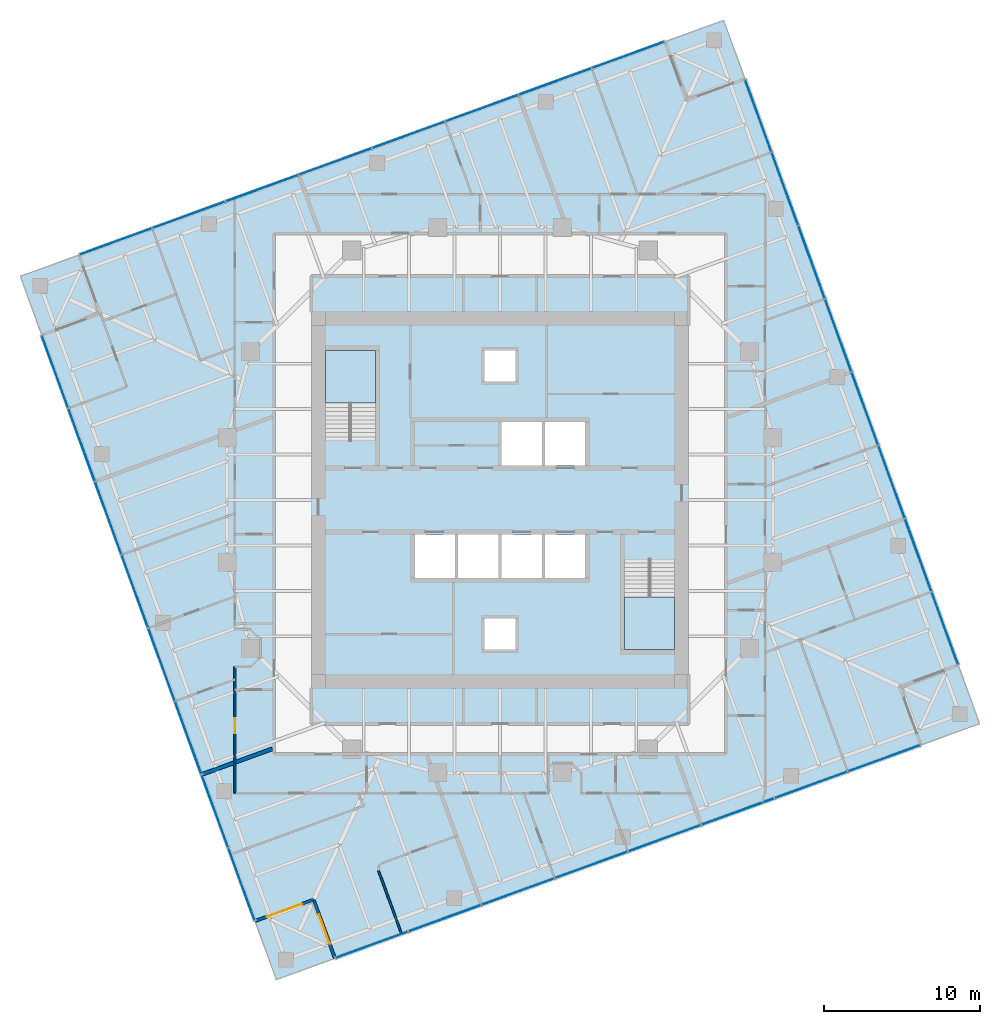
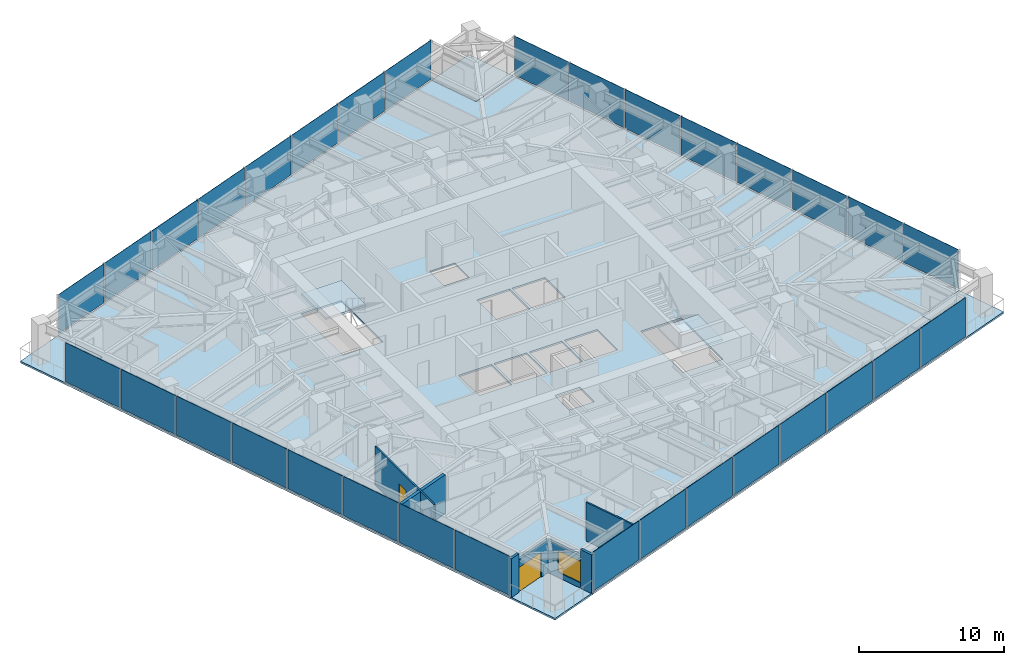
# One storey, part 6 of 13: 32 plates, 7 slabs, 7 walls, 2 doors, 1 window, 3 openings, 6 elements without a shape of their own.
"""IFC4 building model written with IfcOpenShell, lengths in metres."""

from ifc_helpers import new_model, si_unit, direction, frame, frame_2d, origin, origin_2d, place, context, subcontext, project, spatial, polyline, rectangle, outline, extrude, material, layer, layer_set, type_object, element, fill, aggregate, save


model = new_model("IFC4")

# Units and contexts
model_context = context("Model", 3, precision=1e-05, world=origin(), true_north=direction((0.0, 1.0)))
body_context = subcontext(model_context, "Body", "Model", "MODEL_VIEW")
ifc_project = project(units=[si_unit("LENGTHUNIT", "METRE"), si_unit("AREAUNIT", "SQUARE_METRE"), si_unit("VOLUMEUNIT", "CUBIC_METRE"), si_unit("PLANEANGLEUNIT", "RADIAN"), si_unit("MASSUNIT", "GRAM", prefix="KILO")], contexts=[model_context])

# Site, building, storey
site_placement = place(None, origin())
site = spatial("IfcSite", under=ifc_project, at=site_placement, CompositionType="ELEMENT")
building_placement = place(site_placement, origin())
building = spatial("IfcBuilding", under=site, at=building_placement, Name="Torsade Residences", CompositionType="ELEMENT")
storey_placement = place(building_placement, frame((0.0, 0.0, 157.39990234375)))
storey = spatial("IfcBuildingStorey", under=building, at=storey_placement, Name="L43", CompositionType="ELEMENT", Elevation=157.39990234375)

# Slab
ifc_material_1 = material(Name="Concrete 40 MPa", Category="concrete")
ifc_layer_1 = layer(ifc_material_1, 0.14990234375)
ifc_layer_set_1 = layer_set([ifc_layer_1], Name="Concrete 40 MPa")
slab_type_1 = type_object("IfcSlabType", Name="COMPOSITE FLOOR SLAB 150", PredefinedType="FLOOR", material=ifc_layer_set_1)
slab_1_placement = place(storey_placement, frame((0.0, 0.0, -0.14990234375)))
element("IfcSlab", 1, at=slab_1_placement, inside=storey, type_object=slab_type_1, Name="Floor slab L43", PredefinedType="FLOOR", context=body_context, shape_type="SweptSolid", body=[
    extrude(outline(polyline([(29.41455078125, 0.60693359375), (67.00244140625, 14.287841796875), (65.63427734375, 18.046630859375), (69.39306640625, 19.41455078125), (55.712158203125, 57.00244140625), (51.953369140625, 55.63427734375), (50.58544921875, 59.39306640625), (12.99755859375, 45.712158203125), (14.36572265625, 41.953369140625), (10.60693359375, 40.58544921875), (24.287841796875, 2.99755859375), (28.046630859375, 4.36572265625), (29.41455078125, 0.60693359375)]), holes=[polyline([(51.199951171875, 26.1201171875), (48.0, 26.1201171875), (48.0, 20.39990234375), (51.199951171875, 20.39990234375), (51.199951171875, 26.1201171875)]), polyline([(45.5, 27.800048828125), (42.89990234375, 27.800048828125), (42.89990234375, 25.0), (45.5, 25.0), (45.5, 27.800048828125)]), polyline([(45.5, 35.0), (42.89990234375, 35.0), (42.89990234375, 32.199951171875), (45.5, 32.199951171875), (45.5, 35.0)]), polyline([(42.699951171875, 25.0), (42.699951171875, 27.800048828125), (40.10009765625, 27.800048828125), (40.10009765625, 25.0), (42.699951171875, 25.0)]), polyline([(42.699951171875, 35.0), (40.10009765625, 35.0), (40.10009765625, 32.199951171875), (42.699951171875, 32.199951171875), (42.699951171875, 35.0)]), polyline([(41.0, 22.39990234375), (39.0, 22.39990234375), (39.0, 20.39990234375), (41.0, 20.39990234375), (41.0, 22.39990234375)]), polyline([(41.0, 37.60009765625), (41.0, 39.60009765625), (39.0, 39.60009765625), (39.0, 37.60009765625), (41.0, 37.60009765625)]), polyline([(39.89990234375, 25.0), (39.89990234375, 27.800048828125), (37.300048828125, 27.800048828125), (37.300048828125, 25.0), (39.89990234375, 25.0)]), polyline([(37.10009765625, 27.800048828125), (34.5, 27.800048828125), (34.5, 25.0), (37.10009765625, 25.0), (37.10009765625, 27.800048828125)]), polyline([(32.0, 33.8798828125), (32.0, 39.60009765625), (28.800048828125, 39.60009765625), (28.800048828125, 33.8798828125), (32.0, 33.8798828125)])]), origin(), (0.0, 0.0, 1.0), 0.14990234375),
])

# Curtain wall, plates
ifc_material_2 = material(Name="Aluminium and glass", Category="aluminium")
curtain_wall_type = type_object("IfcCurtainWallType", Name="FRITTED GLASS CURTAIN WALL MID ZONE", PredefinedType="NOTDEFINED", material=ifc_material_2)
curtain_wall_1_placement = place(storey_placement, origin())
curtain_wall_1 = element("IfcCurtainWall", 2, at=curtain_wall_1_placement, inside=storey, type_object=curtain_wall_type, Name="Curtain wall L43 face 1", PredefinedType="NOTDEFINED")
ifc_material_3 = material(Name="Laminated glass", Category="glass")
ifc_layer_2 = layer(ifc_material_3, 0.031982421875)
ifc_layer_set_2 = layer_set([ifc_layer_2], Name="Laminated glass")
plate_type_1 = type_object("IfcPlateType", Name="FRITTED GLASS PANEL", PredefinedType="CURTAIN_PANEL", material=ifc_layer_set_2)
plate_1_placement = place(storey_placement, frame((31.78271484375, 1.46875, 0.110107421875), z_axis=(0.0, 0.0, 1.0), x_axis=(0.939692619132, 0.342020147869, 0.0)))
plate_1 = element("IfcPlate", 3, at=plate_1_placement, type_object=plate_type_1, Name="Panel 1", PredefinedType="CURTAIN_PANEL", context=body_context, shape_type="SweptSolid", body=[
    extrude(rectangle(XDim=4.8798828125, YDim=0.031982421875, at=origin_2d()), origin(), (0.0, 0.0, 1.0), 3.2900390625),
])
plate_2_placement = place(storey_placement, frame((41.160888671875, 4.88232421875, 0.110107421875), z_axis=(0.0, 0.0, 1.0), x_axis=(0.939692619132, 0.342020147869, 0.0)))
plate_2 = element("IfcPlate", 4, at=plate_2_placement, type_object=plate_type_1, Name="Panel 3", PredefinedType="CURTAIN_PANEL", context=body_context, shape_type="SweptSolid", body=[
    extrude(rectangle(XDim=4.919921875, YDim=0.031982421875, at=origin_2d()), origin(), (0.0, 0.0, 1.0), 3.2900390625),
])
plate_3_placement = place(storey_placement, frame((45.859130859375, 6.59228515625, 0.110107421875), z_axis=(0.0, 0.0, 1.0), x_axis=(0.939692619132, 0.342020147869, 0.0)))
plate_3 = element("IfcPlate", 5, at=plate_3_placement, type_object=plate_type_1, Name="Panel 4", PredefinedType="CURTAIN_PANEL", context=body_context, shape_type="SweptSolid", body=[
    extrude(rectangle(XDim=4.919921875, YDim=0.031982421875, at=origin_2d()), origin(), (0.0, 0.0, 1.0), 3.2900390625),
])
plate_4_placement = place(storey_placement, frame((50.5576171875, 8.302490234375, 0.110107421875), z_axis=(0.0, 0.0, 1.0), x_axis=(0.939692619132, 0.342020147869, 0.0)))
plate_4 = element("IfcPlate", 6, at=plate_4_placement, type_object=plate_type_1, Name="Panel 5", PredefinedType="CURTAIN_PANEL", context=body_context, shape_type="SweptSolid", body=[
    extrude(rectangle(XDim=4.919921875, YDim=0.031982421875, at=origin_2d()), origin(), (0.0, 0.0, 1.0), 3.2900390625),
])
plate_5_placement = place(storey_placement, frame((59.95458984375, 11.72265625, 0.110107421875), z_axis=(0.0, 0.0, 1.0), x_axis=(0.939692619132, 0.342020147869, 0.0)))
plate_5 = element("IfcPlate", 7, at=plate_5_placement, type_object=plate_type_1, Name="Panel 7", PredefinedType="CURTAIN_PANEL", context=body_context, shape_type="SweptSolid", body=[
    extrude(rectangle(XDim=4.919921875, YDim=0.031982421875, at=origin_2d()), origin(), (0.0, 0.0, 1.0), 3.2900390625),
])
plate_6_placement = place(storey_placement, frame((64.63427734375, 13.42578125, 0.110107421875), z_axis=(0.0, 0.0, 1.0), x_axis=(0.939692619132, 0.342020147869, 0.0)))
plate_6 = element("IfcPlate", 8, at=plate_6_placement, type_object=plate_type_1, Name="Panel 8", PredefinedType="CURTAIN_PANEL", context=body_context, shape_type="SweptSolid", body=[
    extrude(rectangle(XDim=4.8798828125, YDim=0.031982421875, at=origin_2d()), origin(), (0.0, 0.0, 1.0), 3.2900390625),
])

curtain_wall_2_placement = place(storey_placement, origin())
curtain_wall_2 = element("IfcCurtainWall", 9, at=curtain_wall_2_placement, inside=storey, type_object=curtain_wall_type, Name="Curtain wall L43 face 4", PredefinedType="NOTDEFINED")
plate_7_placement = place(storey_placement, frame((68.53125, 21.78271484375, 0.110107421875), z_axis=(0.0, 0.0, 1.0), x_axis=(-0.342020147869, 0.939692619132, 0.0)))
plate_7 = element("IfcPlate", 10, at=plate_7_placement, type_object=plate_type_1, Name="Panel 1", PredefinedType="CURTAIN_PANEL", context=body_context, shape_type="SweptSolid", body=[
    extrude(rectangle(XDim=4.8798828125, YDim=0.031982421875, at=origin_2d()), origin(), (0.0, 0.0, 1.0), 3.2900390625),
])
plate_8_placement = place(storey_placement, frame((65.11767578125, 31.160888671875, 0.110107421875), z_axis=(0.0, 0.0, 1.0), x_axis=(-0.342020147869, 0.939692619132, 0.0)))
plate_8 = element("IfcPlate", 11, at=plate_8_placement, type_object=plate_type_1, Name="Panel 3", PredefinedType="CURTAIN_PANEL", context=body_context, shape_type="SweptSolid", body=[
    extrude(rectangle(XDim=4.919921875, YDim=0.031982421875, at=origin_2d()), origin(), (0.0, 0.0, 1.0), 3.2900390625),
])
plate_9_placement = place(storey_placement, frame((63.40771484375, 35.859130859375, 0.110107421875), z_axis=(0.0, 0.0, 1.0), x_axis=(-0.342020147869, 0.939692619132, 0.0)))
plate_9 = element("IfcPlate", 12, at=plate_9_placement, type_object=plate_type_1, Name="Panel 4", PredefinedType="CURTAIN_PANEL", context=body_context, shape_type="SweptSolid", body=[
    extrude(rectangle(XDim=4.919921875, YDim=0.031982421875, at=origin_2d()), origin(), (0.0, 0.0, 1.0), 3.2900390625),
])
plate_10_placement = place(storey_placement, frame((61.697509765625, 40.5576171875, 0.110107421875), z_axis=(0.0, 0.0, 1.0), x_axis=(-0.342020147869, 0.939692619132, 0.0)))
plate_10 = element("IfcPlate", 13, at=plate_10_placement, type_object=plate_type_1, Name="Panel 5", PredefinedType="CURTAIN_PANEL", context=body_context, shape_type="SweptSolid", body=[
    extrude(rectangle(XDim=4.919921875, YDim=0.031982421875, at=origin_2d()), origin(), (0.0, 0.0, 1.0), 3.2900390625),
])
plate_11_placement = place(storey_placement, frame((58.27734375, 49.95458984375, 0.110107421875), z_axis=(0.0, 0.0, 1.0), x_axis=(-0.342020147869, 0.939692619132, 0.0)))
plate_11 = element("IfcPlate", 14, at=plate_11_placement, type_object=plate_type_1, Name="Panel 7", PredefinedType="CURTAIN_PANEL", context=body_context, shape_type="SweptSolid", body=[
    extrude(rectangle(XDim=4.919921875, YDim=0.031982421875, at=origin_2d()), origin(), (0.0, 0.0, 1.0), 3.2900390625),
])
plate_12_placement = place(storey_placement, frame((56.57421875, 54.63427734375, 0.110107421875), z_axis=(0.0, 0.0, 1.0), x_axis=(-0.342020147869, 0.939692619132, 0.0)))
plate_12 = element("IfcPlate", 15, at=plate_12_placement, type_object=plate_type_1, Name="Panel 8", PredefinedType="CURTAIN_PANEL", context=body_context, shape_type="SweptSolid", body=[
    extrude(rectangle(XDim=4.8798828125, YDim=0.031982421875, at=origin_2d()), origin(), (0.0, 0.0, 1.0), 3.2900390625),
])

curtain_wall_3_placement = place(storey_placement, origin())
curtain_wall_3 = element("IfcCurtainWall", 16, at=curtain_wall_3_placement, inside=storey, type_object=curtain_wall_type, Name="Curtain wall L43 face 7", PredefinedType="NOTDEFINED")
plate_13_placement = place(storey_placement, frame((48.21728515625, 58.53125, 0.110107421875), z_axis=(0.0, 0.0, 1.0), x_axis=(-0.939692619132, -0.342020147869, 0.0)))
plate_13 = element("IfcPlate", 17, at=plate_13_placement, type_object=plate_type_1, Name="Panel 1", PredefinedType="CURTAIN_PANEL", context=body_context, shape_type="SweptSolid", body=[
    extrude(rectangle(XDim=4.8798828125, YDim=0.031982421875, at=origin_2d()), origin(), (0.0, 0.0, 1.0), 3.2900390625),
])
plate_14_placement = place(storey_placement, frame((38.839111328125, 55.11767578125, 0.110107421875), z_axis=(0.0, 0.0, 1.0), x_axis=(-0.939692619132, -0.342020147869, 0.0)))
plate_14 = element("IfcPlate", 18, at=plate_14_placement, type_object=plate_type_1, Name="Panel 3", PredefinedType="CURTAIN_PANEL", context=body_context, shape_type="SweptSolid", body=[
    extrude(rectangle(XDim=4.919921875, YDim=0.031982421875, at=origin_2d()), origin(), (0.0, 0.0, 1.0), 3.2900390625),
])
plate_15_placement = place(storey_placement, frame((34.140869140625, 53.40771484375, 0.110107421875), z_axis=(0.0, 0.0, 1.0), x_axis=(-0.939692619132, -0.342020147869, 0.0)))
plate_15 = element("IfcPlate", 19, at=plate_15_placement, type_object=plate_type_1, Name="Panel 4", PredefinedType="CURTAIN_PANEL", context=body_context, shape_type="SweptSolid", body=[
    extrude(rectangle(XDim=4.919921875, YDim=0.031982421875, at=origin_2d()), origin(), (0.0, 0.0, 1.0), 3.2900390625),
])
plate_16_placement = place(storey_placement, frame((29.4423828125, 51.697509765625, 0.110107421875), z_axis=(0.0, 0.0, 1.0), x_axis=(-0.939692619132, -0.342020147869, 0.0)))
plate_16 = element("IfcPlate", 20, at=plate_16_placement, type_object=plate_type_1, Name="Panel 5", PredefinedType="CURTAIN_PANEL", context=body_context, shape_type="SweptSolid", body=[
    extrude(rectangle(XDim=4.919921875, YDim=0.031982421875, at=origin_2d()), origin(), (0.0, 0.0, 1.0), 3.2900390625),
])
plate_17_placement = place(storey_placement, frame((20.04541015625, 48.27734375, 0.110107421875), z_axis=(0.0, 0.0, 1.0), x_axis=(-0.939692619132, -0.342020147869, 0.0)))
plate_17 = element("IfcPlate", 21, at=plate_17_placement, type_object=plate_type_1, Name="Panel 7", PredefinedType="CURTAIN_PANEL", context=body_context, shape_type="SweptSolid", body=[
    extrude(rectangle(XDim=4.919921875, YDim=0.031982421875, at=origin_2d()), origin(), (0.0, 0.0, 1.0), 3.2900390625),
])
plate_18_placement = place(storey_placement, frame((15.36572265625, 46.57421875, 0.110107421875), z_axis=(0.0, 0.0, 1.0), x_axis=(-0.939692619132, -0.342020147869, 0.0)))
plate_18 = element("IfcPlate", 22, at=plate_18_placement, type_object=plate_type_1, Name="Panel 8", PredefinedType="CURTAIN_PANEL", context=body_context, shape_type="SweptSolid", body=[
    extrude(rectangle(XDim=4.8798828125, YDim=0.031982421875, at=origin_2d()), origin(), (0.0, 0.0, 1.0), 3.2900390625),
])

curtain_wall_4_placement = place(storey_placement, origin())
curtain_wall_4 = element("IfcCurtainWall", 23, at=curtain_wall_4_placement, inside=storey, type_object=curtain_wall_type, Name="Curtain wall L43 face 10", PredefinedType="NOTDEFINED")
plate_19_placement = place(storey_placement, frame((11.46875, 38.21728515625, 0.110107421875), z_axis=(0.0, 0.0, 1.0), x_axis=(0.342020147869, -0.939692619132, 0.0)))
plate_19 = element("IfcPlate", 24, at=plate_19_placement, type_object=plate_type_1, Name="Panel 1", PredefinedType="CURTAIN_PANEL", context=body_context, shape_type="SweptSolid", body=[
    extrude(rectangle(XDim=4.8798828125, YDim=0.031982421875, at=origin_2d()), origin(), (0.0, 0.0, 1.0), 3.2900390625),
])
plate_20_placement = place(storey_placement, frame((14.88232421875, 28.839111328125, 0.110107421875), z_axis=(0.0, 0.0, 1.0), x_axis=(0.342020147869, -0.939692619132, 0.0)))
plate_20 = element("IfcPlate", 25, at=plate_20_placement, type_object=plate_type_1, Name="Panel 3", PredefinedType="CURTAIN_PANEL", context=body_context, shape_type="SweptSolid", body=[
    extrude(rectangle(XDim=4.919921875, YDim=0.031982421875, at=origin_2d()), origin(), (0.0, 0.0, 1.0), 3.2900390625),
])
plate_21_placement = place(storey_placement, frame((16.59228515625, 24.140869140625, 0.110107421875), z_axis=(0.0, 0.0, 1.0), x_axis=(0.342020147869, -0.939692619132, 0.0)))
plate_21 = element("IfcPlate", 26, at=plate_21_placement, type_object=plate_type_1, Name="Panel 4", PredefinedType="CURTAIN_PANEL", context=body_context, shape_type="SweptSolid", body=[
    extrude(rectangle(XDim=4.919921875, YDim=0.031982421875, at=origin_2d()), origin(), (0.0, 0.0, 1.0), 3.2900390625),
])
plate_22_placement = place(storey_placement, frame((18.302490234375, 19.4423828125, 0.110107421875), z_axis=(0.0, 0.0, 1.0), x_axis=(0.342020147869, -0.939692619132, 0.0)))
plate_22 = element("IfcPlate", 27, at=plate_22_placement, type_object=plate_type_1, Name="Panel 5", PredefinedType="CURTAIN_PANEL", context=body_context, shape_type="SweptSolid", body=[
    extrude(rectangle(XDim=4.919921875, YDim=0.031982421875, at=origin_2d()), origin(), (0.0, 0.0, 1.0), 3.2900390625),
])
plate_23_placement = place(storey_placement, frame((21.72265625, 10.04541015625, 0.110107421875), z_axis=(0.0, 0.0, 1.0), x_axis=(0.342020147869, -0.939692619132, 0.0)))
plate_23 = element("IfcPlate", 28, at=plate_23_placement, type_object=plate_type_1, Name="Panel 7", PredefinedType="CURTAIN_PANEL", context=body_context, shape_type="SweptSolid", body=[
    extrude(rectangle(XDim=4.919921875, YDim=0.031982421875, at=origin_2d()), origin(), (0.0, 0.0, 1.0), 3.2900390625),
])
plate_24_placement = place(storey_placement, frame((23.42578125, 5.36572265625, 0.110107421875), z_axis=(0.0, 0.0, 1.0), x_axis=(0.342020147869, -0.939692619132, 0.0)))
plate_24 = element("IfcPlate", 29, at=plate_24_placement, type_object=plate_type_1, Name="Panel 8", PredefinedType="CURTAIN_PANEL", context=body_context, shape_type="SweptSolid", body=[
    extrude(rectangle(XDim=4.8798828125, YDim=0.031982421875, at=origin_2d()), origin(), (0.0, 0.0, 1.0), 3.2900390625),
])

# Plate
ifc_material_4 = material(Name="Laminated glass", Category="glass")
ifc_layer_3 = layer(ifc_material_4, 0.0400390625)
ifc_layer_set_3 = layer_set([ifc_layer_3], Name="Laminated glass")
plate_type_2 = type_object("IfcPlateType", Name="OPERABLE VENT PANEL", PredefinedType="CURTAIN_PANEL", material=ifc_layer_set_3)
plate_25_placement = place(storey_placement, frame((36.46240234375, 3.172119140625, 0.110107421875), z_axis=(0.0, 0.0, 1.0), x_axis=(0.939692619132, 0.342020147869, 0.0)))
plate_25 = element("IfcPlate", 30, at=plate_25_placement, type_object=plate_type_2, Name="Panel 2", PredefinedType="CURTAIN_PANEL", context=body_context, shape_type="SweptSolid", body=[
    extrude(rectangle(XDim=4.919921875, YDim=0.0400390625, at=origin_2d()), origin(), (0.0, 0.0, 1.0), 3.2900390625),
])

plate_26_placement = place(storey_placement, frame((55.256103515625, 10.012451171875, 0.110107421875), z_axis=(0.0, 0.0, 1.0), x_axis=(0.939692619132, 0.342020147869, 0.0)))
plate_26 = element("IfcPlate", 31, at=plate_26_placement, type_object=plate_type_2, Name="Panel 6", PredefinedType="CURTAIN_PANEL", context=body_context, shape_type="SweptSolid", body=[
    extrude(rectangle(XDim=4.919921875, YDim=0.0400390625, at=origin_2d()), origin(), (0.0, 0.0, 1.0), 3.2900390625),
])

aggregate(curtain_wall_1, [plate_1, plate_25, plate_2, plate_3, plate_4, plate_26, plate_5, plate_6])

plate_27_placement = place(storey_placement, frame((66.827880859375, 26.46240234375, 0.110107421875), z_axis=(0.0, 0.0, 1.0), x_axis=(-0.342020147869, 0.939692619132, 0.0)))
plate_27 = element("IfcPlate", 32, at=plate_27_placement, type_object=plate_type_2, Name="Panel 2", PredefinedType="CURTAIN_PANEL", context=body_context, shape_type="SweptSolid", body=[
    extrude(rectangle(XDim=4.919921875, YDim=0.0400390625, at=origin_2d()), origin(), (0.0, 0.0, 1.0), 3.2900390625),
])

plate_28_placement = place(storey_placement, frame((59.987548828125, 45.256103515625, 0.110107421875), z_axis=(0.0, 0.0, 1.0), x_axis=(-0.342020147869, 0.939692619132, 0.0)))
plate_28 = element("IfcPlate", 33, at=plate_28_placement, type_object=plate_type_2, Name="Panel 6", PredefinedType="CURTAIN_PANEL", context=body_context, shape_type="SweptSolid", body=[
    extrude(rectangle(XDim=4.919921875, YDim=0.0400390625, at=origin_2d()), origin(), (0.0, 0.0, 1.0), 3.2900390625),
])

aggregate(curtain_wall_2, [plate_7, plate_27, plate_8, plate_9, plate_10, plate_28, plate_11, plate_12])

plate_29_placement = place(storey_placement, frame((43.53759765625, 56.827880859375, 0.110107421875), z_axis=(0.0, 0.0, 1.0), x_axis=(-0.939692619132, -0.342020147869, 0.0)))
plate_29 = element("IfcPlate", 34, at=plate_29_placement, type_object=plate_type_2, Name="Panel 2", PredefinedType="CURTAIN_PANEL", context=body_context, shape_type="SweptSolid", body=[
    extrude(rectangle(XDim=4.919921875, YDim=0.0400390625, at=origin_2d()), origin(), (0.0, 0.0, 1.0), 3.2900390625),
])

plate_30_placement = place(storey_placement, frame((24.743896484375, 49.987548828125, 0.110107421875), z_axis=(0.0, 0.0, 1.0), x_axis=(-0.939692619132, -0.342020147869, 0.0)))
plate_30 = element("IfcPlate", 35, at=plate_30_placement, type_object=plate_type_2, Name="Panel 6", PredefinedType="CURTAIN_PANEL", context=body_context, shape_type="SweptSolid", body=[
    extrude(rectangle(XDim=4.919921875, YDim=0.0400390625, at=origin_2d()), origin(), (0.0, 0.0, 1.0), 3.2900390625),
])

aggregate(curtain_wall_3, [plate_13, plate_29, plate_14, plate_15, plate_16, plate_30, plate_17, plate_18])

plate_31_placement = place(storey_placement, frame((13.172119140625, 33.53759765625, 0.110107421875), z_axis=(0.0, 0.0, 1.0), x_axis=(0.342020147869, -0.939692619132, 0.0)))
plate_31 = element("IfcPlate", 36, at=plate_31_placement, type_object=plate_type_2, Name="Panel 2", PredefinedType="CURTAIN_PANEL", context=body_context, shape_type="SweptSolid", body=[
    extrude(rectangle(XDim=4.919921875, YDim=0.0400390625, at=origin_2d()), origin(), (0.0, 0.0, 1.0), 3.2900390625),
])

plate_32_placement = place(storey_placement, frame((20.012451171875, 14.743896484375, 0.110107421875), z_axis=(0.0, 0.0, 1.0), x_axis=(0.342020147869, -0.939692619132, 0.0)))
plate_32 = element("IfcPlate", 37, at=plate_32_placement, type_object=plate_type_2, Name="Panel 6", PredefinedType="CURTAIN_PANEL", context=body_context, shape_type="SweptSolid", body=[
    extrude(rectangle(XDim=4.919921875, YDim=0.0400390625, at=origin_2d()), origin(), (0.0, 0.0, 1.0), 3.2900390625),
])

aggregate(curtain_wall_4, [plate_19, plate_31, plate_20, plate_21, plate_22, plate_32, plate_23, plate_24])

# Stair, slab
ifc_material_5 = material(Name="Precast concrete 40 MPa", Category="concrete")
stair_type = type_object("IfcStairType", Name="HALF-TURN FIRE STAIR 1500x3400", PredefinedType="HALF_TURN_STAIR", material=ifc_material_5)
stair_1_placement = place(storey_placement, origin())
stair_1 = element("IfcStair", 38, at=stair_1_placement, inside=storey, type_object=stair_type, Name="Stair ST1 L43", PredefinedType="HALF_TURN_STAIR")
ifc_material_6 = material(Name="Precast concrete 40 MPa", Category="concrete")
ifc_layer_4 = layer(ifc_material_6, 0.179931640625)
ifc_layer_set_4 = layer_set([ifc_layer_4], Name="Precast concrete 40 MPa")
slab_type_2 = type_object("IfcSlabType", Name="PRECAST STAIR LANDING 180", PredefinedType="LANDING", material=ifc_layer_set_4)
slab_2_placement = place(storey_placement, frame((0.0, 0.0, 1.52001953125)))
slab_2 = element("IfcSlab", 39, at=slab_2_placement, type_object=slab_type_2, Name="ST1 landing 1", PredefinedType="LANDING", context=body_context, shape_type="SweptSolid", body=[
    extrude(outline(polyline([(28.800048828125, 36.2099609375), (32.0, 36.2099609375), (32.0, 39.60009765625), (28.800048828125, 39.60009765625), (28.800048828125, 36.2099609375)])), origin(), (0.0, 0.0, 1.0), 0.18017578125),
])
aggregate(stair_1, [slab_2])

stair_2_placement = place(storey_placement, origin())
stair_2 = element("IfcStair", 40, at=stair_2_placement, inside=storey, type_object=stair_type, Name="Stair ST2 L43", PredefinedType="HALF_TURN_STAIR")
slab_3_placement = place(storey_placement, frame((0.0, 0.0, 1.52001953125)))
slab_3 = element("IfcSlab", 41, at=slab_3_placement, type_object=slab_type_2, Name="ST2 landing 1", PredefinedType="LANDING", context=body_context, shape_type="SweptSolid", body=[
    extrude(outline(polyline([(48.0, 20.39990234375), (51.199951171875, 20.39990234375), (51.199951171875, 23.7900390625), (48.0, 23.7900390625), (48.0, 20.39990234375)])), origin(), (0.0, 0.0, 1.0), 0.18017578125),
])
aggregate(stair_2, [slab_3])

# Slabs
ifc_material_7 = material(Name="Concrete 40 MPa", Category="concrete")
ifc_layer_5 = layer(ifc_material_7, 0.14990234375)
ifc_layer_set_5 = layer_set([ifc_layer_5], Name="Concrete 40 MPa")
slab_type_3 = type_object("IfcSlabType", Name="TERRACE SLAB 150", PredefinedType="FLOOR", material=ifc_layer_set_5)
slab_4_placement = place(storey_placement, frame((0.0, 0.0, -0.14990234375)))
element("IfcSlab", 42, at=slab_4_placement, inside=storey, type_object=slab_type_3, Name="Corner terrace slab SE L43", PredefinedType="FLOOR", context=body_context, shape_type="SweptSolid", body=[
    extrude(outline(polyline([(67.00244140625, 14.287841796875), (70.760986328125, 15.65576171875), (69.39306640625, 19.41455078125), (65.63427734375, 18.046630859375), (67.00244140625, 14.287841796875)])), origin(), (0.0, 0.0, 1.0), 0.14990234375),
])
slab_5_placement = place(storey_placement, frame((0.0, 0.0, -0.14990234375)))
element("IfcSlab", 43, at=slab_5_placement, inside=storey, type_object=slab_type_3, Name="Corner terrace slab NE L43", PredefinedType="FLOOR", context=body_context, shape_type="SweptSolid", body=[
    extrude(outline(polyline([(51.953369140625, 55.63427734375), (55.712158203125, 57.00244140625), (54.34423828125, 60.760986328125), (50.58544921875, 59.39306640625), (51.953369140625, 55.63427734375)])), origin(), (0.0, 0.0, 1.0), 0.14990234375),
])
slab_6_placement = place(storey_placement, frame((0.0, 0.0, -0.14990234375)))
element("IfcSlab", 44, at=slab_6_placement, inside=storey, type_object=slab_type_3, Name="Corner terrace slab NW L43", PredefinedType="FLOOR", context=body_context, shape_type="SweptSolid", body=[
    extrude(outline(polyline([(10.60693359375, 40.58544921875), (14.36572265625, 41.953369140625), (12.99755859375, 45.712158203125), (9.239013671875, 44.34423828125), (10.60693359375, 40.58544921875)])), origin(), (0.0, 0.0, 1.0), 0.14990234375),
])
slab_7_placement = place(storey_placement, frame((0.0, 0.0, -0.14990234375)))
element("IfcSlab", 45, at=slab_7_placement, inside=storey, type_object=slab_type_3, Name="Corner terrace slab SW L43", PredefinedType="FLOOR", context=body_context, shape_type="SweptSolid", body=[
    extrude(outline(polyline([(25.65576171875, -0.760986328125), (29.41455078125, 0.60693359375), (28.046630859375, 4.36572265625), (24.287841796875, 2.99755859375), (25.65576171875, -0.760986328125)])), origin(), (0.0, 0.0, 1.0), 0.14990234375),
])

# Wall, opening, door
ifc_material_8 = material(Name="Plasterboard on steel stud", Category="steel")
ifc_layer_6 = layer(ifc_material_8, 0.1201171875)
ifc_layer_set_6 = layer_set([ifc_layer_6], Name="Plasterboard on steel stud")
wall_type_1 = type_object("IfcWallType", Name="PARTITION 120", PredefinedType="PARTITIONING", material=ifc_layer_set_6)
wall_1_placement = place(storey_placement, frame((23.0, 11.199951171875, 0.0), z_axis=(0.0, 0.0, 1.0), x_axis=(0.0, 1.0, 0.0)))
wall_1 = element("IfcWall", 46, at=wall_1_placement, inside=storey, type_object=wall_type_1, Name="Partition L43", PredefinedType="PARTITIONING", context=body_context, shape_type="SweptSolid", body=[
    extrude(rectangle(XDim=8.10009765625, YDim=0.1201171875, at=frame_2d((4.050048828125, 0.0))), origin(), (0.0, 0.0, 1.0), 3.25),
])
opening_1_placement = place(wall_1_placement, frame((3.849365234375, 0.0, 0.0)))
opening_1 = element("IfcOpeningElement", 47, at=opening_1_placement, cuts=wall_1, Name="Opening D05", PredefinedType="OPENING", context=body_context, shape_type="SweptSolid", body=[
    extrude(rectangle(XDim=0.9599609375, YDim=2.10009765625, at=frame_2d((0.47998046875, 1.050048828125))), frame((0.0, 0.070068359375, 0.0), z_axis=(0.0, -1.0, 0.0), x_axis=(1.0, 0.0, 0.0)), (0.0, 0.0, 1.0), 0.14013671875),
])
ifc_material_9 = material(Name="Hollow-core timber door in a steel cavity frame", Category="steel")
door_type_1 = type_object("IfcDoorType", Name="BATHROOM CAVITY SLIDING DOOR 960", OperationType="SLIDING_TO_LEFT", PredefinedType="DOOR", material=ifc_material_9)
door_1_placement = place(opening_1_placement, origin())
door_1 = element("IfcDoor", 48, at=door_1_placement, inside=storey, type_object=door_type_1, Name="Door WC to Bedroom 3", OperationType="SLIDING_TO_LEFT", OverallHeight=2.10009765625, OverallWidth=0.9599609375, PredefinedType="DOOR", context=body_context, shape_type="SweptSolid", body=[
    extrude(rectangle(XDim=0.9599609375, YDim=2.10009765625, at=frame_2d((0.47998046875, 1.050048828125))), frame((0.0, 0.02490234375, 0.0), z_axis=(0.0, -1.0, 0.0), x_axis=(1.0, 0.0, 0.0)), (0.0, 0.0, 1.0), 0.050048828125),
])
fill(opening_1, door_1)

# Walls
wall_2_placement = place(storey_placement, frame((32.20361328125, 6.24755859375, 0.0), z_axis=(0.0, 0.0, 1.0), x_axis=(0.342011603146, -0.939695729113, 0.0)))
element("IfcWall", 49, at=wall_2_placement, inside=storey, type_object=wall_type_1, Name="Partition L43", PredefinedType="PARTITIONING", context=body_context, shape_type="SweptSolid", body=[
    extrude(rectangle(XDim=4.306640625, YDim=0.1201171875, at=frame_2d((2.1533203125, 0.0))), origin(), (0.0, 0.0, 1.0), 3.25),
])
ifc_material_10 = material(Name="Masonry-lined stud party wall", Category="masonry")
ifc_layer_7 = layer(ifc_material_10, 0.25)
ifc_layer_set_7 = layer_set([ifc_layer_7], Name="Masonry-lined stud party wall")
wall_type_2 = type_object("IfcWallType", Name="PARTY WALL 250", PredefinedType="PARTITIONING", material=ifc_layer_set_7)
wall_3_placement = place(storey_placement, frame((20.86767578125, 12.39453125, 0.0), z_axis=(0.0, 0.0, 1.0), x_axis=(0.939677962656, 0.342060413521, 0.0)))
element("IfcWall", 50, at=wall_3_placement, inside=storey, type_object=wall_type_2, Name="Party wall L43", PredefinedType="PARTITIONING", context=body_context, shape_type="SweptSolid", body=[
    extrude(rectangle(XDim=4.817626953125, YDim=0.25, at=frame_2d((2.40869140625, 0.0))), origin(), (0.0, 0.0, 1.0), 3.25),
])
ifc_material_11 = material(Name="Stone-faced precast concrete 40 MPa panel", Category="masonry")
ifc_layer_8 = layer(ifc_material_11, 0.199951171875)
ifc_layer_set_8 = layer_set([ifc_layer_8], Name="Stone-faced precast concrete 40 MPa panel")
wall_type_3 = type_object("IfcWallType", Name="TERRACE WALL 200", PredefinedType="SOLIDWALL", material=ifc_layer_set_8)
wall_4_placement = place(storey_placement, frame((24.287841796875, 2.99755859375, 0.0), z_axis=(0.0, 0.0, 1.0), x_axis=(0.939659694648, 0.342110593602, 0.0)))
element("IfcWall", 51, at=wall_4_placement, inside=storey, type_object=wall_type_3, Name="Terrace wall L43 11", PredefinedType="SOLIDWALL", context=body_context, shape_type="SweptSolid", body=[
    extrude(rectangle(XDim=0.800048828125, YDim=0.199951171875, at=frame_2d((0.39990234375, 0.0))), origin(), (0.0, 0.0, 1.0), 3.25),
])

# Wall, opening, door
wall_5_placement = place(storey_placement, frame((25.03955078125, 3.271240234375, 0.0), z_axis=(0.0, 0.0, 1.0), x_axis=(0.939693144909, 0.342018703306, 0.0)))
wall_5 = element("IfcWall", 52, at=wall_5_placement, inside=storey, type_object=wall_type_3, Name="Terrace wall L43 11", PredefinedType="SOLIDWALL", context=body_context, shape_type="SweptSolid", body=[
    extrude(rectangle(XDim=3.199951171875, YDim=0.199951171875, at=frame_2d((1.60009765625, 0.0))), origin(), (0.0, 0.0, 1.0), 2.72216796875),
])
opening_2_placement = place(wall_5_placement, origin())
opening_2 = element("IfcOpeningElement", 53, at=opening_2_placement, cuts=wall_5, Name="Opening D10A", PredefinedType="OPENING", context=body_context, shape_type="SweptSolid", body=[
    extrude(rectangle(XDim=2.39990234375, YDim=2.10009765625, at=frame_2d((1.199951171875, 1.050048828125))), frame((0.0, 0.10986328125, 0.0), z_axis=(0.0, -1.0, 0.0), x_axis=(1.0, 0.0, 0.0)), (0.0, 0.0, 1.0), 0.219970703125),
])
ifc_material_12 = material(Name="Aluminium-framed glass door", Category="aluminium")
door_type_2 = type_object("IfcDoorType", Name="TERRACE SLIDING DOOR 2400x2100", OperationType="SLIDING_TO_LEFT", PredefinedType="DOOR", material=ifc_material_12)
door_2_placement = place(opening_2_placement, origin())
door_2 = element("IfcDoor", 54, at=door_2_placement, inside=storey, type_object=door_type_2, Name="Terrace door L43 11", OperationType="SLIDING_TO_LEFT", OverallHeight=2.10009765625, OverallWidth=2.39990234375, PredefinedType="DOOR", context=body_context, shape_type="SweptSolid", body=[
    extrude(rectangle(XDim=2.39990234375, YDim=2.10009765625, at=frame_2d((1.199951171875, 1.050048828125))), frame((0.0, 0.02490234375, 0.0), z_axis=(0.0, -1.0, 0.0), x_axis=(1.0, 0.0, 0.0)), (0.0, 0.0, 1.0), 0.050048828125),
])
fill(opening_2, door_2)

# Wall, opening, window
wall_6_placement = place(storey_placement, frame((28.046630859375, 4.36572265625, 0.0), z_axis=(0.0, 0.0, 1.0), x_axis=(0.341965219194, -0.939712609717, 0.0)))
wall_6 = element("IfcWall", 55, at=wall_6_placement, inside=storey, type_object=wall_type_3, Name="Terrace wall L43 12", PredefinedType="SOLIDWALL", context=body_context, shape_type="SweptSolid", body=[
    extrude(rectangle(XDim=3.0, YDim=0.199951171875, at=frame_2d((1.5, 0.0))), origin(), (0.0, 0.0, 1.0), 2.72216796875),
])
opening_3_placement = place(wall_6_placement, frame((1.0, 0.0, 0.449951171875)))
opening_3 = element("IfcOpeningElement", 56, at=opening_3_placement, cuts=wall_6, Name="Opening W1B", PredefinedType="OPENING", context=body_context, shape_type="SweptSolid", body=[
    extrude(rectangle(XDim=2.0, YDim=1.800048828125, at=frame_2d((1.0, 0.89990234375))), frame((0.0, 0.10986328125, 0.0), z_axis=(0.0, -1.0, 0.0), x_axis=(1.0, 0.0, 0.0)), (0.0, 0.0, 1.0), 0.219970703125),
])
ifc_material_13 = material(Name="Aluminium-framed glass window", Category="aluminium")
window_type = type_object("IfcWindowType", Name="TERRACE WINDOW 2000x1800", PartitioningType="SINGLE_PANEL", PredefinedType="WINDOW", material=ifc_material_13)
window_placement = place(opening_3_placement, origin())
window = element("IfcWindow", 57, at=window_placement, inside=storey, type_object=window_type, Name="Terrace window L43 12", OverallHeight=1.800048828125, OverallWidth=2.0, PartitioningType="SINGLE_PANEL", PredefinedType="WINDOW", context=body_context, shape_type="SweptSolid", body=[
    extrude(rectangle(XDim=2.0, YDim=1.800048828125, at=frame_2d((1.0, 0.89990234375))), frame((0.0, 0.030029296875, 0.0), z_axis=(0.0, -1.0, 0.0), x_axis=(1.0, 0.0, 0.0)), (0.0, 0.0, 1.0), 0.06005859375),
])
fill(opening_3, window)

# Wall
wall_7_placement = place(storey_placement, frame((29.072509765625, 1.546630859375, 0.0), z_axis=(0.0, 0.0, 1.0), x_axis=(0.342037080957, -0.939686455819, 0.0)))
element("IfcWall", 58, at=wall_7_placement, inside=storey, type_object=wall_type_3, Name="Terrace wall L43 12", PredefinedType="SOLIDWALL", context=body_context, shape_type="SweptSolid", body=[
    extrude(rectangle(XDim=1.0, YDim=0.199951171875, at=frame_2d((0.5, 0.0))), origin(), (0.0, 0.0, 1.0), 3.25),
])

save(model, "model.ifc")
